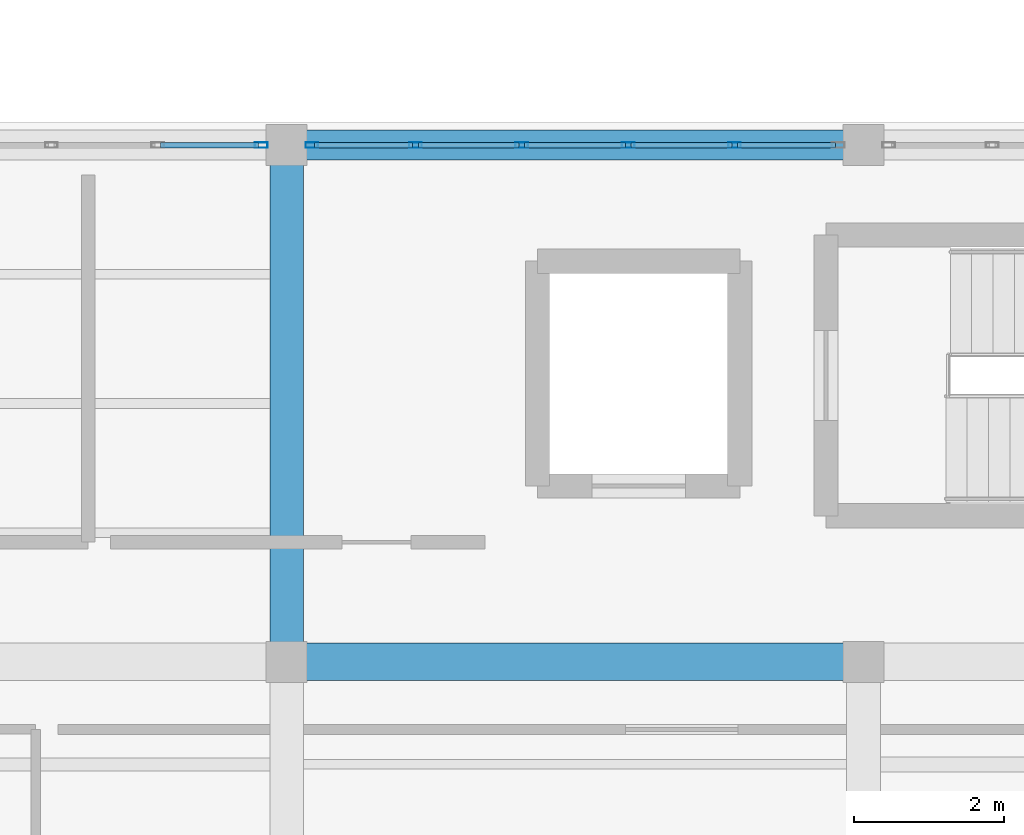
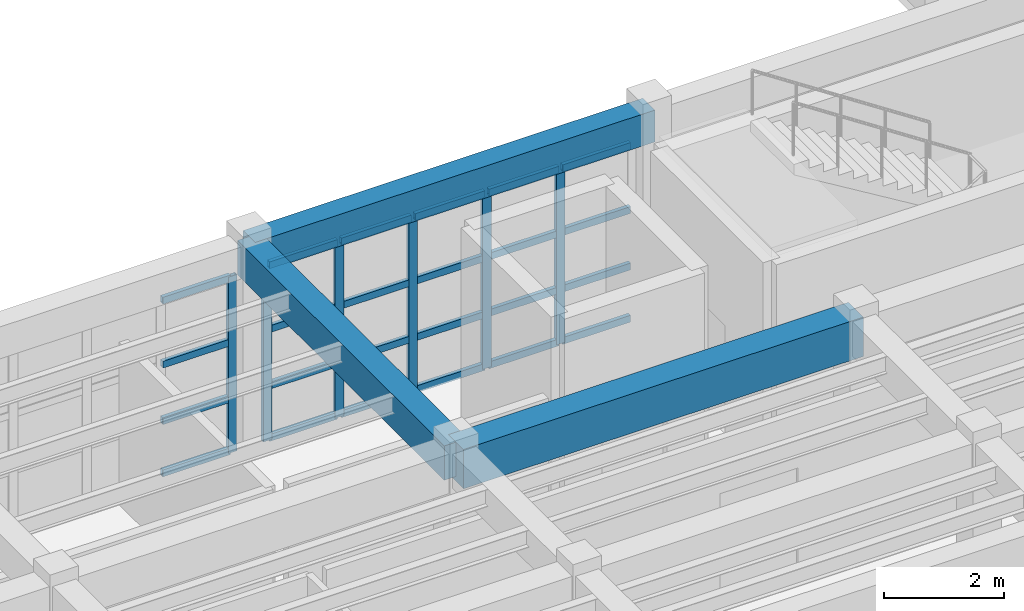
# One storey, part 31 of 85: 30 members, 3 beams, 2 elements without a shape of their own.
"""IFC4 building model written with IfcOpenShell, lengths in metres."""

from ifc_helpers import new_model, si_unit, direction, frame, origin, origin_2d, place, context, subcontext, project, spatial, rectangle, hollow_rectangle, extrude, material, layer, layer_set, material_profile, profile_set, type_object, element, aggregate, save


model = new_model("IFC4")

# Units and contexts
model_context = context("Model", 3, precision=1e-05, world=origin(), true_north=direction((0.0, 1.0)))
body_context = subcontext(model_context, "Body", "Model", "MODEL_VIEW")
ifc_project = project(units=[si_unit("LENGTHUNIT", "METRE"), si_unit("AREAUNIT", "SQUARE_METRE"), si_unit("VOLUMEUNIT", "CUBIC_METRE"), si_unit("PLANEANGLEUNIT", "RADIAN"), si_unit("MASSUNIT", "GRAM", prefix="KILO")], contexts=[model_context])

# Site, building, storey
site_placement = place(None, origin())
site = spatial("IfcSite", under=ifc_project, at=site_placement, CompositionType="ELEMENT")
building_placement = place(site_placement, origin())
building = spatial("IfcBuilding", under=site, at=building_placement, Name="Candilejo Ridge Gondola Terminal", CompositionType="ELEMENT")
storey_placement = place(building_placement, frame((0.0, 0.0, 4.5)))
storey = spatial("IfcBuildingStorey", under=building, at=storey_placement, Name="L01", CompositionType="ELEMENT", Elevation=4.5)

# Curtain wall, member
ifc_material_1 = material(Name="Anodised aluminium AA 6063-T6", Category="aluminium")
ifc_layer = layer(ifc_material_1, 0.169921875)
ifc_layer_set = layer_set([ifc_layer], Name="ARC-CW-GALLERY-3200-710X359")
curtain_wall_type = type_object("IfcCurtainWallType", Name="ARC-CW-GALLERY-3200-710X359", PredefinedType="NOTDEFINED", material=ifc_layer_set)
curtain_wall_1_placement = place(storey_placement, origin())
curtain_wall_1 = element("IfcCurtainWall", 1, at=curtain_wall_1_placement, inside=storey, type_object=curtain_wall_type, Name="Curtain wall V3 L01-076", PredefinedType="NOTDEFINED")
ifc_material_2 = material(Name="Anodised aluminium AA 6063-T6", Category="aluminium")
ifc_material_profile_1 = material_profile(ifc_material_2, hollow_rectangle(XDim=0.074951171875, YDim=0.169921875, WallThickness=0.00390625, at=origin_2d()))
ifc_profile_set_1 = profile_set([ifc_material_profile_1], Name="Anodised aluminium AA 6063-T6")
member_type_1 = type_object("IfcMemberType", Name="ARC-CW-MULLION", PredefinedType="MULLION", material=ifc_profile_set_1)
member_1_placement = place(storey_placement, frame((117.21240234375, 36.699951171875, 0.0), z_axis=(0.0, 0.0, 1.0), x_axis=(0.0, 1.0, 0.0)))
member_1 = element("IfcMember", 2, at=member_1_placement, type_object=member_type_1, Name="CW-71X35 mullion 6", PredefinedType="MULLION", context=body_context, shape_type="SweptSolid", body=[
    extrude(hollow_rectangle(XDim=0.074951171875, YDim=0.169921875, WallThickness=0.00390625, at=origin_2d()), origin(), (0.0, 0.0, 1.0), 3.590087890625),
])

# Curtain wall, members
curtain_wall_2_placement = place(storey_placement, origin())
curtain_wall_2 = element("IfcCurtainWall", 3, at=curtain_wall_2_placement, inside=storey, type_object=curtain_wall_type, Name="Curtain wall V3 L01-078", PredefinedType="NOTDEFINED")
member_2_placement = place(storey_placement, frame((117.887451171875, 36.699951171875, 0.0), z_axis=(0.0, 0.0, 1.0), x_axis=(0.0, 1.0, 0.0)))
member_2 = element("IfcMember", 4, at=member_2_placement, type_object=member_type_1, Name="CW-71X35 mullion 1", PredefinedType="MULLION", context=body_context, shape_type="SweptSolid", body=[
    extrude(hollow_rectangle(XDim=0.074951171875, YDim=0.169921875, WallThickness=0.00390625, at=origin_2d()), origin(), (0.0, 0.0, 1.0), 3.590087890625),
])
member_3_placement = place(storey_placement, frame((119.27001953125, 36.699951171875, 0.0), z_axis=(0.0, 0.0, 1.0), x_axis=(0.0, 1.0, 0.0)))
member_3 = element("IfcMember", 5, at=member_3_placement, type_object=member_type_1, Name="CW-71X35 mullion 2", PredefinedType="MULLION", context=body_context, shape_type="SweptSolid", body=[
    extrude(hollow_rectangle(XDim=0.074951171875, YDim=0.169921875, WallThickness=0.00390625, at=origin_2d()), origin(), (0.0, 0.0, 1.0), 3.590087890625),
])
member_4_placement = place(storey_placement, frame((120.68994140625, 36.699951171875, 0.0), z_axis=(0.0, 0.0, 1.0), x_axis=(0.0, 1.0, 0.0)))
member_4 = element("IfcMember", 6, at=member_4_placement, type_object=member_type_1, Name="CW-71X35 mullion 3", PredefinedType="MULLION", context=body_context, shape_type="SweptSolid", body=[
    extrude(hollow_rectangle(XDim=0.074951171875, YDim=0.169921875, WallThickness=0.00390625, at=origin_2d()), origin(), (0.0, 0.0, 1.0), 3.590087890625),
])
member_5_placement = place(storey_placement, frame((122.110107421875, 36.699951171875, 0.0), z_axis=(0.0, 0.0, 1.0), x_axis=(0.0, 1.0, 0.0)))
member_5 = element("IfcMember", 7, at=member_5_placement, type_object=member_type_1, Name="CW-71X35 mullion 4", PredefinedType="MULLION", context=body_context, shape_type="SweptSolid", body=[
    extrude(hollow_rectangle(XDim=0.074951171875, YDim=0.169921875, WallThickness=0.00390625, at=origin_2d()), origin(), (0.0, 0.0, 1.0), 3.590087890625),
])
member_6_placement = place(storey_placement, frame((123.530029296875, 36.699951171875, 0.0), z_axis=(0.0, 0.0, 1.0), x_axis=(0.0, 1.0, 0.0)))
member_6 = element("IfcMember", 8, at=member_6_placement, type_object=member_type_1, Name="CW-71X35 mullion 5", PredefinedType="MULLION", context=body_context, shape_type="SweptSolid", body=[
    extrude(hollow_rectangle(XDim=0.074951171875, YDim=0.169921875, WallThickness=0.00390625, at=origin_2d()), origin(), (0.0, 0.0, 1.0), 3.590087890625),
])

# Member
ifc_material_3 = material(Name="Anodised aluminium AA 6063-T6", Category="aluminium")
ifc_material_profile_2 = material_profile(ifc_material_3, hollow_rectangle(XDim=0.074951171875, YDim=0.139892578125, WallThickness=0.00390625, at=origin_2d()))
ifc_profile_set_2 = profile_set([ifc_material_profile_2], Name="Anodised aluminium AA 6063-T6")
member_type_2 = type_object("IfcMemberType", Name="ARC-CW-TRANSOM", PredefinedType="USERDEFINED", material=ifc_profile_set_2)
member_7_placement = place(storey_placement, frame((115.867431640625, 36.699951171875, 0.03759765625), z_axis=(1.0, 0.0, 0.0), x_axis=(0.0, 1.0, 0.0)))
member_7 = element("IfcMember", 9, at=member_7_placement, type_object=member_type_2, Name="CW-71X35 transom 5.1", ObjectType="TRANSOM", PredefinedType="USERDEFINED", context=body_context, shape_type="SweptSolid", body=[
    extrude(hollow_rectangle(XDim=0.074951171875, YDim=0.139892578125, WallThickness=0.00390625, at=origin_2d()), origin(), (0.0, 0.0, 1.0), 1.3076171875),
])

member_8_placement = place(storey_placement, frame((115.867431640625, 36.699951171875, 1.10009765625), z_axis=(1.0, 0.0, 0.0), x_axis=(0.0, 1.0, 0.0)))
member_8 = element("IfcMember", 10, at=member_8_placement, type_object=member_type_2, Name="CW-71X35 transom 5.2", ObjectType="TRANSOM", PredefinedType="USERDEFINED", context=body_context, shape_type="SweptSolid", body=[
    extrude(hollow_rectangle(XDim=0.074951171875, YDim=0.139892578125, WallThickness=0.00390625, at=origin_2d()), origin(), (0.0, 0.0, 1.0), 1.3076171875),
])

member_9_placement = place(storey_placement, frame((115.867431640625, 36.699951171875, 2.25), z_axis=(1.0, 0.0, 0.0), x_axis=(0.0, 1.0, 0.0)))
member_9 = element("IfcMember", 11, at=member_9_placement, type_object=member_type_2, Name="CW-71X35 transom 5.3", ObjectType="TRANSOM", PredefinedType="USERDEFINED", context=body_context, shape_type="SweptSolid", body=[
    extrude(hollow_rectangle(XDim=0.074951171875, YDim=0.139892578125, WallThickness=0.00390625, at=origin_2d()), origin(), (0.0, 0.0, 1.0), 1.3076171875),
])

member_10_placement = place(storey_placement, frame((115.867431640625, 36.699951171875, 3.552490234375), z_axis=(1.0, 0.0, 0.0), x_axis=(0.0, 1.0, 0.0)))
member_10 = element("IfcMember", 12, at=member_10_placement, type_object=member_type_2, Name="CW-71X35 transom 5.4", ObjectType="TRANSOM", PredefinedType="USERDEFINED", context=body_context, shape_type="SweptSolid", body=[
    extrude(hollow_rectangle(XDim=0.074951171875, YDim=0.139892578125, WallThickness=0.00390625, at=origin_2d()), origin(), (0.0, 0.0, 1.0), 1.3076171875),
])

aggregate(curtain_wall_1, [member_1, member_7, member_8, member_9, member_10])

member_11_placement = place(storey_placement, frame((117.925048828125, 36.699951171875, 0.03759765625), z_axis=(1.0, 0.0, 0.0), x_axis=(0.0, 1.0, 0.0)))
member_11 = element("IfcMember", 13, at=member_11_placement, type_object=member_type_2, Name="CW-71X35 transom 1.1", ObjectType="TRANSOM", PredefinedType="USERDEFINED", context=body_context, shape_type="SweptSolid", body=[
    extrude(hollow_rectangle(XDim=0.074951171875, YDim=0.139892578125, WallThickness=0.00390625, at=origin_2d()), origin(), (0.0, 0.0, 1.0), 1.307373046875),
])

member_12_placement = place(storey_placement, frame((117.925048828125, 36.699951171875, 1.10009765625), z_axis=(1.0, 0.0, 0.0), x_axis=(0.0, 1.0, 0.0)))
member_12 = element("IfcMember", 14, at=member_12_placement, type_object=member_type_2, Name="CW-71X35 transom 1.2", ObjectType="TRANSOM", PredefinedType="USERDEFINED", context=body_context, shape_type="SweptSolid", body=[
    extrude(hollow_rectangle(XDim=0.074951171875, YDim=0.139892578125, WallThickness=0.00390625, at=origin_2d()), origin(), (0.0, 0.0, 1.0), 1.307373046875),
])

member_13_placement = place(storey_placement, frame((117.925048828125, 36.699951171875, 2.25), z_axis=(1.0, 0.0, 0.0), x_axis=(0.0, 1.0, 0.0)))
member_13 = element("IfcMember", 15, at=member_13_placement, type_object=member_type_2, Name="CW-71X35 transom 1.3", ObjectType="TRANSOM", PredefinedType="USERDEFINED", context=body_context, shape_type="SweptSolid", body=[
    extrude(hollow_rectangle(XDim=0.074951171875, YDim=0.139892578125, WallThickness=0.00390625, at=origin_2d()), origin(), (0.0, 0.0, 1.0), 1.307373046875),
])

member_14_placement = place(storey_placement, frame((117.925048828125, 36.699951171875, 3.552490234375), z_axis=(1.0, 0.0, 0.0), x_axis=(0.0, 1.0, 0.0)))
member_14 = element("IfcMember", 16, at=member_14_placement, type_object=member_type_2, Name="CW-71X35 transom 1.4", ObjectType="TRANSOM", PredefinedType="USERDEFINED", context=body_context, shape_type="SweptSolid", body=[
    extrude(hollow_rectangle(XDim=0.074951171875, YDim=0.139892578125, WallThickness=0.00390625, at=origin_2d()), origin(), (0.0, 0.0, 1.0), 1.307373046875),
])

member_15_placement = place(storey_placement, frame((119.3076171875, 36.699951171875, 0.03759765625), z_axis=(1.0, 0.0, 0.0), x_axis=(0.0, 1.0, 0.0)))
member_15 = element("IfcMember", 17, at=member_15_placement, type_object=member_type_2, Name="CW-71X35 transom 2.1", ObjectType="TRANSOM", PredefinedType="USERDEFINED", context=body_context, shape_type="SweptSolid", body=[
    extrude(hollow_rectangle(XDim=0.074951171875, YDim=0.139892578125, WallThickness=0.00390625, at=origin_2d()), origin(), (0.0, 0.0, 1.0), 1.344970703125),
])

member_16_placement = place(storey_placement, frame((119.3076171875, 36.699951171875, 1.10009765625), z_axis=(1.0, 0.0, 0.0), x_axis=(0.0, 1.0, 0.0)))
member_16 = element("IfcMember", 18, at=member_16_placement, type_object=member_type_2, Name="CW-71X35 transom 2.2", ObjectType="TRANSOM", PredefinedType="USERDEFINED", context=body_context, shape_type="SweptSolid", body=[
    extrude(hollow_rectangle(XDim=0.074951171875, YDim=0.139892578125, WallThickness=0.00390625, at=origin_2d()), origin(), (0.0, 0.0, 1.0), 1.344970703125),
])

member_17_placement = place(storey_placement, frame((119.3076171875, 36.699951171875, 2.25), z_axis=(1.0, 0.0, 0.0), x_axis=(0.0, 1.0, 0.0)))
member_17 = element("IfcMember", 19, at=member_17_placement, type_object=member_type_2, Name="CW-71X35 transom 2.3", ObjectType="TRANSOM", PredefinedType="USERDEFINED", context=body_context, shape_type="SweptSolid", body=[
    extrude(hollow_rectangle(XDim=0.074951171875, YDim=0.139892578125, WallThickness=0.00390625, at=origin_2d()), origin(), (0.0, 0.0, 1.0), 1.344970703125),
])

member_18_placement = place(storey_placement, frame((119.3076171875, 36.699951171875, 3.552490234375), z_axis=(1.0, 0.0, 0.0), x_axis=(0.0, 1.0, 0.0)))
member_18 = element("IfcMember", 20, at=member_18_placement, type_object=member_type_2, Name="CW-71X35 transom 2.4", ObjectType="TRANSOM", PredefinedType="USERDEFINED", context=body_context, shape_type="SweptSolid", body=[
    extrude(hollow_rectangle(XDim=0.074951171875, YDim=0.139892578125, WallThickness=0.00390625, at=origin_2d()), origin(), (0.0, 0.0, 1.0), 1.344970703125),
])

member_19_placement = place(storey_placement, frame((120.7275390625, 36.699951171875, 0.03759765625), z_axis=(1.0, 0.0, 0.0), x_axis=(0.0, 1.0, 0.0)))
member_19 = element("IfcMember", 21, at=member_19_placement, type_object=member_type_2, Name="CW-71X35 transom 3.1", ObjectType="TRANSOM", PredefinedType="USERDEFINED", context=body_context, shape_type="SweptSolid", body=[
    extrude(hollow_rectangle(XDim=0.074951171875, YDim=0.139892578125, WallThickness=0.00390625, at=origin_2d()), origin(), (0.0, 0.0, 1.0), 1.344970703125),
])

member_20_placement = place(storey_placement, frame((120.7275390625, 36.699951171875, 1.10009765625), z_axis=(1.0, 0.0, 0.0), x_axis=(0.0, 1.0, 0.0)))
member_20 = element("IfcMember", 22, at=member_20_placement, type_object=member_type_2, Name="CW-71X35 transom 3.2", ObjectType="TRANSOM", PredefinedType="USERDEFINED", context=body_context, shape_type="SweptSolid", body=[
    extrude(hollow_rectangle(XDim=0.074951171875, YDim=0.139892578125, WallThickness=0.00390625, at=origin_2d()), origin(), (0.0, 0.0, 1.0), 1.344970703125),
])

member_21_placement = place(storey_placement, frame((120.7275390625, 36.699951171875, 2.25), z_axis=(1.0, 0.0, 0.0), x_axis=(0.0, 1.0, 0.0)))
member_21 = element("IfcMember", 23, at=member_21_placement, type_object=member_type_2, Name="CW-71X35 transom 3.3", ObjectType="TRANSOM", PredefinedType="USERDEFINED", context=body_context, shape_type="SweptSolid", body=[
    extrude(hollow_rectangle(XDim=0.074951171875, YDim=0.139892578125, WallThickness=0.00390625, at=origin_2d()), origin(), (0.0, 0.0, 1.0), 1.344970703125),
])

member_22_placement = place(storey_placement, frame((120.7275390625, 36.699951171875, 3.552490234375), z_axis=(1.0, 0.0, 0.0), x_axis=(0.0, 1.0, 0.0)))
member_22 = element("IfcMember", 24, at=member_22_placement, type_object=member_type_2, Name="CW-71X35 transom 3.4", ObjectType="TRANSOM", PredefinedType="USERDEFINED", context=body_context, shape_type="SweptSolid", body=[
    extrude(hollow_rectangle(XDim=0.074951171875, YDim=0.139892578125, WallThickness=0.00390625, at=origin_2d()), origin(), (0.0, 0.0, 1.0), 1.344970703125),
])

member_23_placement = place(storey_placement, frame((122.1474609375, 36.699951171875, 0.03759765625), z_axis=(1.0, 0.0, 0.0), x_axis=(0.0, 1.0, 0.0)))
member_23 = element("IfcMember", 25, at=member_23_placement, type_object=member_type_2, Name="CW-71X35 transom 4.1", ObjectType="TRANSOM", PredefinedType="USERDEFINED", context=body_context, shape_type="SweptSolid", body=[
    extrude(hollow_rectangle(XDim=0.074951171875, YDim=0.139892578125, WallThickness=0.00390625, at=origin_2d()), origin(), (0.0, 0.0, 1.0), 1.344970703125),
])

member_24_placement = place(storey_placement, frame((122.1474609375, 36.699951171875, 1.10009765625), z_axis=(1.0, 0.0, 0.0), x_axis=(0.0, 1.0, 0.0)))
member_24 = element("IfcMember", 26, at=member_24_placement, type_object=member_type_2, Name="CW-71X35 transom 4.2", ObjectType="TRANSOM", PredefinedType="USERDEFINED", context=body_context, shape_type="SweptSolid", body=[
    extrude(hollow_rectangle(XDim=0.074951171875, YDim=0.139892578125, WallThickness=0.00390625, at=origin_2d()), origin(), (0.0, 0.0, 1.0), 1.344970703125),
])

member_25_placement = place(storey_placement, frame((122.1474609375, 36.699951171875, 2.25), z_axis=(1.0, 0.0, 0.0), x_axis=(0.0, 1.0, 0.0)))
member_25 = element("IfcMember", 27, at=member_25_placement, type_object=member_type_2, Name="CW-71X35 transom 4.3", ObjectType="TRANSOM", PredefinedType="USERDEFINED", context=body_context, shape_type="SweptSolid", body=[
    extrude(hollow_rectangle(XDim=0.074951171875, YDim=0.139892578125, WallThickness=0.00390625, at=origin_2d()), origin(), (0.0, 0.0, 1.0), 1.344970703125),
])

member_26_placement = place(storey_placement, frame((122.1474609375, 36.699951171875, 3.552490234375), z_axis=(1.0, 0.0, 0.0), x_axis=(0.0, 1.0, 0.0)))
member_26 = element("IfcMember", 28, at=member_26_placement, type_object=member_type_2, Name="CW-71X35 transom 4.4", ObjectType="TRANSOM", PredefinedType="USERDEFINED", context=body_context, shape_type="SweptSolid", body=[
    extrude(hollow_rectangle(XDim=0.074951171875, YDim=0.139892578125, WallThickness=0.00390625, at=origin_2d()), origin(), (0.0, 0.0, 1.0), 1.344970703125),
])

member_27_placement = place(storey_placement, frame((123.5673828125, 36.699951171875, 0.03759765625), z_axis=(1.0, 0.0, 0.0), x_axis=(0.0, 1.0, 0.0)))
member_27 = element("IfcMember", 29, at=member_27_placement, type_object=member_type_2, Name="CW-71X35 transom 5.1", ObjectType="TRANSOM", PredefinedType="USERDEFINED", context=body_context, shape_type="SweptSolid", body=[
    extrude(hollow_rectangle(XDim=0.074951171875, YDim=0.139892578125, WallThickness=0.00390625, at=origin_2d()), origin(), (0.0, 0.0, 1.0), 1.3076171875),
])

member_28_placement = place(storey_placement, frame((123.5673828125, 36.699951171875, 1.10009765625), z_axis=(1.0, 0.0, 0.0), x_axis=(0.0, 1.0, 0.0)))
member_28 = element("IfcMember", 30, at=member_28_placement, type_object=member_type_2, Name="CW-71X35 transom 5.2", ObjectType="TRANSOM", PredefinedType="USERDEFINED", context=body_context, shape_type="SweptSolid", body=[
    extrude(hollow_rectangle(XDim=0.074951171875, YDim=0.139892578125, WallThickness=0.00390625, at=origin_2d()), origin(), (0.0, 0.0, 1.0), 1.3076171875),
])

member_29_placement = place(storey_placement, frame((123.5673828125, 36.699951171875, 2.25), z_axis=(1.0, 0.0, 0.0), x_axis=(0.0, 1.0, 0.0)))
member_29 = element("IfcMember", 31, at=member_29_placement, type_object=member_type_2, Name="CW-71X35 transom 5.3", ObjectType="TRANSOM", PredefinedType="USERDEFINED", context=body_context, shape_type="SweptSolid", body=[
    extrude(hollow_rectangle(XDim=0.074951171875, YDim=0.139892578125, WallThickness=0.00390625, at=origin_2d()), origin(), (0.0, 0.0, 1.0), 1.3076171875),
])

member_30_placement = place(storey_placement, frame((123.5673828125, 36.699951171875, 3.552490234375), z_axis=(1.0, 0.0, 0.0), x_axis=(0.0, 1.0, 0.0)))
member_30 = element("IfcMember", 32, at=member_30_placement, type_object=member_type_2, Name="CW-71X35 transom 5.4", ObjectType="TRANSOM", PredefinedType="USERDEFINED", context=body_context, shape_type="SweptSolid", body=[
    extrude(hollow_rectangle(XDim=0.074951171875, YDim=0.139892578125, WallThickness=0.00390625, at=origin_2d()), origin(), (0.0, 0.0, 1.0), 1.3076171875),
])

aggregate(curtain_wall_2, [member_2, member_3, member_4, member_5, member_6, member_11, member_12, member_13, member_14, member_15, member_16, member_17, member_18, member_19, member_20, member_21, member_22, member_23, member_24, member_25, member_26, member_27, member_28, member_29, member_30])

# Beams
ifc_material_4 = material(Name="Concrete f'c 35 MPa (C35/45)", Category="concrete")
ifc_material_profile_3 = material_profile(ifc_material_4, rectangle(XDim=0.449951171875, YDim=0.699951171875, at=origin_2d()))
ifc_profile_set_3 = profile_set([ifc_material_profile_3], Name="Concrete f'c 35 MPa (C35/45)")
beam_type_1 = type_object("IfcBeamType", Name="STR-BM-RC450X700", PredefinedType="BEAM", material=ifc_profile_set_3)
beam_1_placement = place(storey_placement, frame((117.550048828125, 29.800048828125, 3.89990234375), z_axis=(0.0, 1.0, 0.0), x_axis=(-1.0, 0.0, 0.0)))
element("IfcBeam", 33, at=beam_1_placement, inside=storey, type_object=beam_type_1, Name="Beam Y V3 L01 Y06-Y07@X18", PredefinedType="BEAM", context=body_context, shape_type="SweptSolid", body=[
    extrude(rectangle(XDim=0.449951171875, YDim=0.699951171875, at=origin_2d()), origin(), (0.0, 0.0, 1.0), 6.89990234375),
])
ifc_material_5 = material(Name="Concrete f'c 35 MPa (C35/45)", Category="concrete")
ifc_material_profile_4 = material_profile(ifc_material_5, rectangle(XDim=0.5, YDim=0.800048828125, at=origin_2d()))
ifc_profile_set_4 = profile_set([ifc_material_profile_4], Name="Concrete f'c 35 MPa (C35/45)")
beam_type_2 = type_object("IfcBeamType", Name="STR-BM-RC500X800", PredefinedType="BEAM", material=ifc_profile_set_4)
beam_2_placement = place(storey_placement, frame((117.550048828125, 29.800048828125, 3.85009765625), z_axis=(1.0, 0.0, 0.0), x_axis=(0.0, 1.0, 0.0)))
element("IfcBeam", 34, at=beam_2_placement, inside=storey, type_object=beam_type_2, Name="Beam X V3 L01 X18-X19@Y06", PredefinedType="BEAM", context=body_context, shape_type="SweptSolid", body=[
    extrude(rectangle(XDim=0.5, YDim=0.800048828125, at=origin_2d()), origin(), (0.0, 0.0, 1.0), 7.699951171875),
])
ifc_material_6 = material(Name="Concrete f'c 35 MPa (C35/45)", Category="concrete")
ifc_material_profile_5 = material_profile(ifc_material_6, rectangle(XDim=0.39990234375, YDim=0.64990234375, at=origin_2d()))
ifc_profile_set_5 = profile_set([ifc_material_profile_5], Name="Concrete f'c 35 MPa (C35/45)")
beam_type_3 = type_object("IfcBeamType", Name="STR-SPN-RC400X650", PredefinedType="SPANDREL", material=ifc_profile_set_5)
beam_3_placement = place(storey_placement, frame((117.550048828125, 36.699951171875, 3.925048828125), z_axis=(1.0, 0.0, 0.0), x_axis=(0.0, 1.0, 0.0)))
element("IfcBeam", 35, at=beam_3_placement, inside=storey, type_object=beam_type_3, Name="Beam X V3 L01 X18-X19@Y07", PredefinedType="SPANDREL", context=body_context, shape_type="SweptSolid", body=[
    extrude(rectangle(XDim=0.39990234375, YDim=0.64990234375, at=origin_2d()), origin(), (0.0, 0.0, 1.0), 7.699951171875),
])

save(model, "model.ifc")
